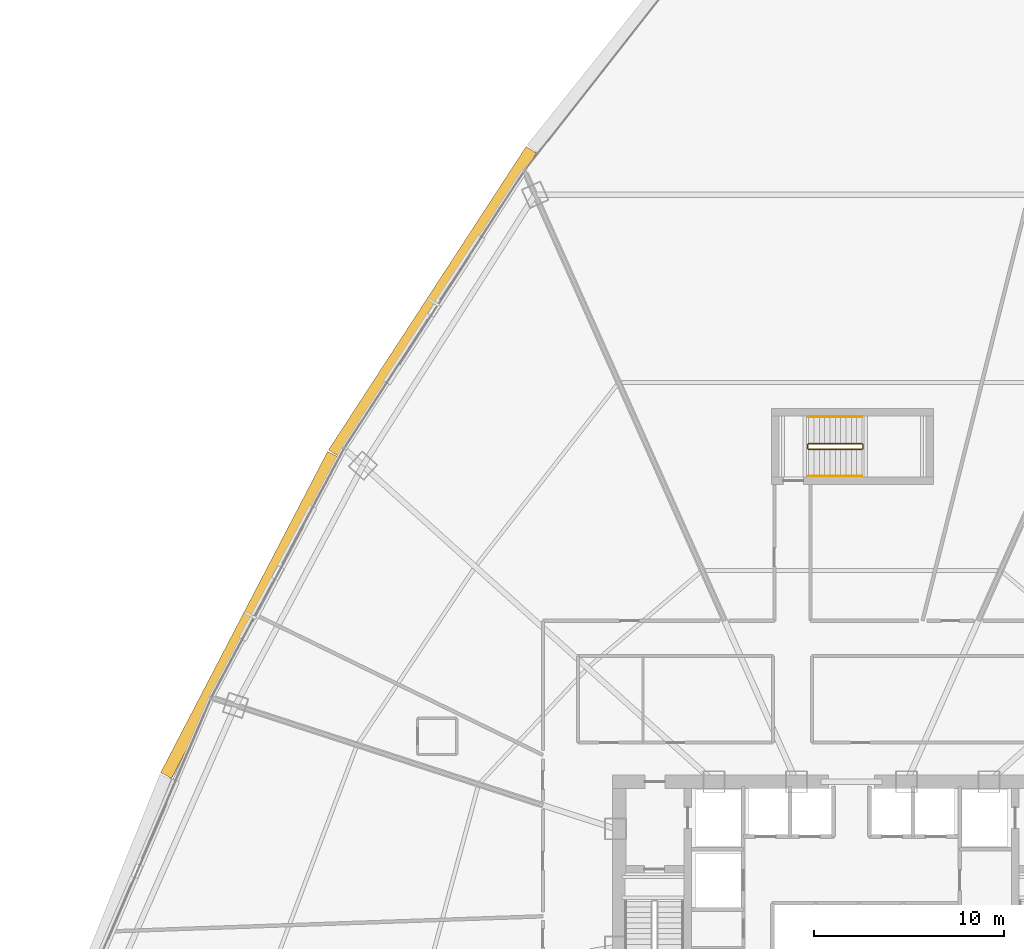
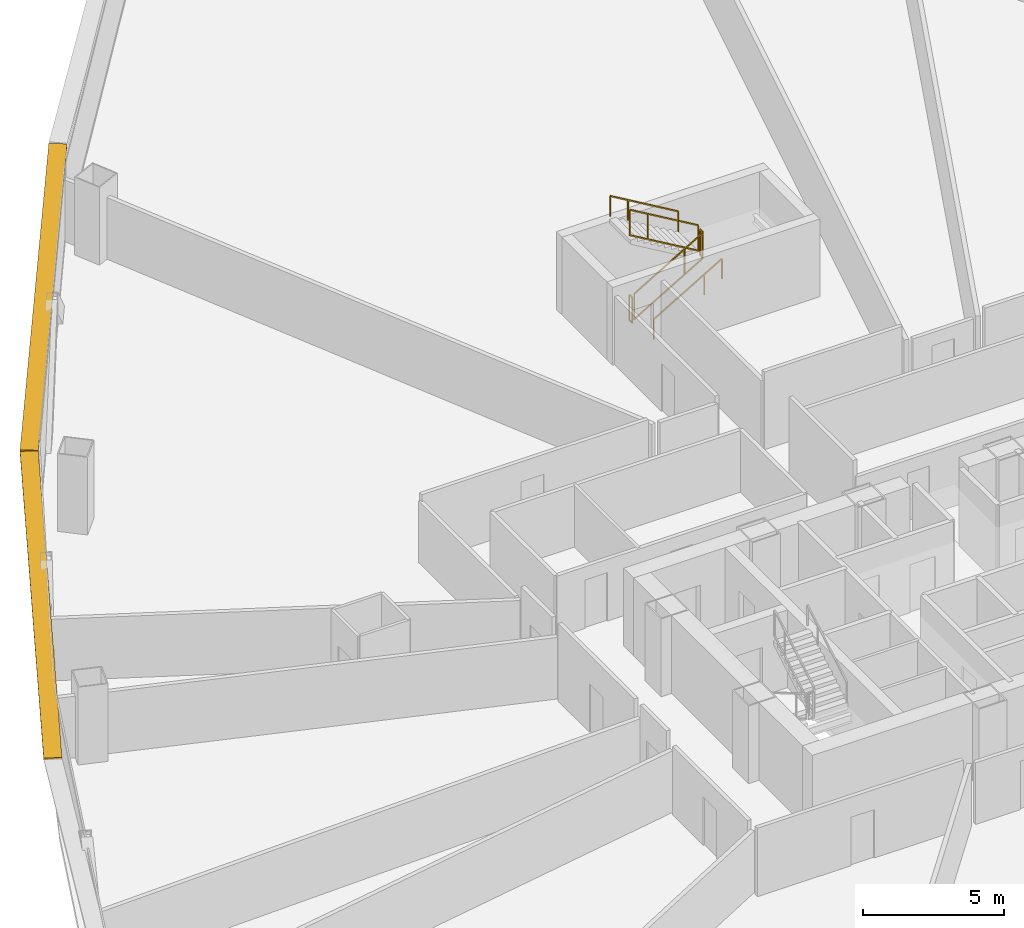
# One storey, part 36 of 37: 6 railings, 2 shading devices.
"""IFC4 building model written with IfcOpenShell, lengths in metres."""

from ifc_helpers import new_model, si_unit, direction, frame, origin, origin_2d, place, context, subcontext, project, spatial, rectangle, extrude, source, transform, mapped, material, layer, layer_set, type_object, element, save


model = new_model("IFC4")

# Units and contexts
model_context = context("Model", 3, precision=1e-05, world=origin(), true_north=direction((0.0, 1.0)))
body_context = subcontext(model_context, "Body", "Model", "MODEL_VIEW")
ifc_project = project(units=[si_unit("LENGTHUNIT", "METRE"), si_unit("AREAUNIT", "SQUARE_METRE"), si_unit("VOLUMEUNIT", "CUBIC_METRE"), si_unit("PLANEANGLEUNIT", "RADIAN"), si_unit("MASSUNIT", "GRAM", prefix="KILO"), si_unit("THERMODYNAMICTEMPERATUREUNIT", "KELVIN"), si_unit("POWERUNIT", "WATT")], contexts=[model_context])

# Site, building, storey
site_placement = place(None, origin())
site = spatial("IfcSite", under=ifc_project, at=site_placement, CompositionType="ELEMENT")
building_placement = place(site_placement, origin())
building = spatial("IfcBuilding", under=site, at=building_placement, Name="Yunzhuo Pagoda Commons", CompositionType="ELEMENT")
storey_placement = place(building_placement, frame((0.0, 0.0, 52.179931640625)))
storey = spatial("IfcBuildingStorey", under=building, at=storey_placement, Name="L13", CompositionType="ELEMENT", Elevation=52.179931640625)

# Railings
ifc_material = material(Name="Anodized aluminium 6063-T6", Category="aluminium")
railing_type_1 = type_object("IfcRailingType", Name="GR-ST3 North Well Guardrail 1155", PredefinedType="GUARDRAIL", material=ifc_material)
railing_1_placement = place(storey_placement, frame((45.75, 57.64990234375, 0.1650390625)))
element("IfcRailing", 1, at=railing_1_placement, inside=storey, type_object=railing_type_1, Name="L13 ST3 stair guard 1", PredefinedType="GUARDRAIL", context=body_context, shape_type="SweptSolid", body=[
    extrude(rectangle(XDim=0.048095703125, YDim=0.048095703125, at=origin_2d()), frame((0.0, 0.0, 1.1259765625), z_axis=(0.86152261977, 0.0, 0.507719189732), x_axis=(0.0, 1.0, 0.0)), (0.0, 0.0, 1.0), 3.25),
    extrude(rectangle(XDim=0.048095703125, YDim=0.048095703125, at=origin_2d()), frame((0.0, 0.0, 0.02392578125), z_axis=(0.86152261977, 0.0, 0.507719189732), x_axis=(0.0, 1.0, 0.0)), (0.0, 0.0, 1.0), 3.25),
    extrude(rectangle(XDim=0.0419921875, YDim=0.0419921875, at=origin_2d()), origin(), (0.0, 0.0, 1.0), 1.101806640625),
    extrude(rectangle(XDim=0.0419921875, YDim=0.0419921875, at=origin_2d()), frame((2.067626953125, 0.0, 1.218505859375)), (0.0, 0.0, 1.0), 1.101806640625),
    extrude(rectangle(XDim=0.0419921875, YDim=0.0419921875, at=origin_2d()), frame((2.800048828125, 0.0, 1.650146484375)), (0.0, 0.0, 1.0), 1.101806640625),
])
railing_2_placement = place(storey_placement, frame((48.60009765625, 57.699951171875, 1.815185546875)))
element("IfcRailing", 2, at=railing_2_placement, inside=storey, type_object=railing_type_1, Name="L13 ST3 stair guard 2", PredefinedType="GUARDRAIL", context=body_context, shape_type="SweptSolid", body=[
    extrude(rectangle(XDim=0.048095703125, YDim=0.048095703125, at=origin_2d()), frame((0.0, 0.0, 1.1259765625), z_axis=(0.0, 1.0, 0.0), x_axis=(-1.0, 0.0, 0.0)), (0.0, 0.0, 1.0), 0.199951171875),
    extrude(rectangle(XDim=0.048095703125, YDim=0.048095703125, at=origin_2d()), frame((0.0, 0.0, 0.02392578125), z_axis=(0.0, 1.0, 0.0), x_axis=(-1.0, 0.0, 0.0)), (0.0, 0.0, 1.0), 0.199951171875),
    extrude(rectangle(XDim=0.0419921875, YDim=0.0419921875, at=origin_2d()), origin(), (0.0, 0.0, 1.0), 1.101806640625),
    extrude(rectangle(XDim=0.0419921875, YDim=0.0419921875, at=origin_2d()), frame((0.0, 0.199951171875, 0.0)), (0.0, 0.0, 1.0), 1.101806640625),
])
railing_3_placement = place(storey_placement, frame((48.550048828125, 57.949951171875, 1.97998046875)))
element("IfcRailing", 3, at=railing_3_placement, inside=storey, type_object=railing_type_1, Name="L13 ST3 stair guard 3", PredefinedType="GUARDRAIL", context=body_context, shape_type="SweptSolid", body=[
    extrude(rectangle(XDim=0.048095703125, YDim=0.048095703125, at=origin_2d()), frame((0.0, 0.0, 1.1259765625), z_axis=(-0.86152261977, 0.0, 0.507719189732), x_axis=(0.0, -1.0, 0.0)), (0.0, 0.0, 1.0), 3.25),
    extrude(rectangle(XDim=0.048095703125, YDim=0.048095703125, at=origin_2d()), frame((0.0, 0.0, 0.02392578125), z_axis=(-0.86152261977, 0.0, 0.507719189732), x_axis=(0.0, -1.0, 0.0)), (0.0, 0.0, 1.0), 3.25),
    extrude(rectangle(XDim=0.0419921875, YDim=0.0419921875, at=origin_2d()), origin(), (0.0, 0.0, 1.0), 1.101806640625),
    extrude(rectangle(XDim=0.0419921875, YDim=0.0419921875, at=origin_2d()), frame((-2.067626953125, 0.0, 1.218505859375)), (0.0, 0.0, 1.0), 1.101806640625),
    extrude(rectangle(XDim=0.0419921875, YDim=0.0419921875, at=origin_2d()), frame((-2.800048828125, 0.0, 1.650146484375)), (0.0, 0.0, 1.0), 1.101806640625),
])
railing_4_placement = place(storey_placement, frame((45.699951171875, 57.699951171875, 0.0)))
element("IfcRailing", 4, at=railing_4_placement, inside=storey, type_object=railing_type_1, Name="L13 ST3 stair guard 4", PredefinedType="GUARDRAIL", context=body_context, shape_type="SweptSolid", body=[
    extrude(rectangle(XDim=0.048095703125, YDim=0.048095703125, at=origin_2d()), frame((0.0, 0.0, 1.1259765625), z_axis=(0.0, 1.0, 0.0), x_axis=(-1.0, 0.0, 0.0)), (0.0, 0.0, 1.0), 0.199951171875),
    extrude(rectangle(XDim=0.048095703125, YDim=0.048095703125, at=origin_2d()), frame((0.0, 0.0, 0.02392578125), z_axis=(0.0, 1.0, 0.0), x_axis=(-1.0, 0.0, 0.0)), (0.0, 0.0, 1.0), 0.199951171875),
    extrude(rectangle(XDim=0.0419921875, YDim=0.0419921875, at=origin_2d()), origin(), (0.0, 0.0, 1.0), 1.101806640625),
    extrude(rectangle(XDim=0.0419921875, YDim=0.0419921875, at=origin_2d()), frame((0.0, 0.199951171875, 0.0)), (0.0, 0.0, 1.0), 1.101806640625),
])
railing_type_2 = type_object("IfcRailingType", Name="HR-ST3 North Stair Handrail 900", PredefinedType="HANDRAIL", material=ifc_material)
railing_5_placement = place(storey_placement, frame((45.75, 56.25, 0.1650390625)))
element("IfcRailing", 5, at=railing_5_placement, inside=storey, type_object=railing_type_2, Name="L13 ST3 stair handrail 1", PredefinedType="HANDRAIL", context=body_context, shape_type="SweptSolid", body=[
    extrude(rectangle(XDim=0.048095703125, YDim=0.048095703125, at=origin_2d()), frame((0.0, 0.0, 0.8759765625), z_axis=(0.86152261977, 0.0, 0.507719189732), x_axis=(0.0, 1.0, 0.0)), (0.0, 0.0, 1.0), 3.25),
    extrude(rectangle(XDim=0.0419921875, YDim=0.0419921875, at=origin_2d()), origin(), (0.0, 0.0, 1.0), 0.851806640625),
    extrude(rectangle(XDim=0.0419921875, YDim=0.0419921875, at=origin_2d()), frame((2.067626953125, 0.0, 1.218505859375)), (0.0, 0.0, 1.0), 0.851806640625),
    extrude(rectangle(XDim=0.0419921875, YDim=0.0419921875, at=origin_2d()), frame((2.800048828125, 0.0, 1.650146484375)), (0.0, 0.0, 1.0), 0.851806640625),
])
railing_6_placement = place(storey_placement, frame((48.550048828125, 59.35009765625, 1.97998046875)))
element("IfcRailing", 6, at=railing_6_placement, inside=storey, type_object=railing_type_2, Name="L13 ST3 stair handrail 2", PredefinedType="HANDRAIL", context=body_context, shape_type="SweptSolid", body=[
    extrude(rectangle(XDim=0.048095703125, YDim=0.048095703125, at=origin_2d()), frame((0.0, 0.0, 0.8759765625), z_axis=(-0.86152261977, 0.0, 0.507719189732), x_axis=(0.0, -1.0, 0.0)), (0.0, 0.0, 1.0), 3.25),
    extrude(rectangle(XDim=0.0419921875, YDim=0.0419921875, at=origin_2d()), origin(), (0.0, 0.0, 1.0), 0.851806640625),
    extrude(rectangle(XDim=0.0419921875, YDim=0.0419921875, at=origin_2d()), frame((-2.067626953125, 0.0, 1.218505859375)), (0.0, 0.0, 1.0), 0.851806640625),
    extrude(rectangle(XDim=0.0419921875, YDim=0.0419921875, at=origin_2d()), frame((-2.800048828125, 0.0, 1.650146484375)), (0.0, 0.0, 1.0), 0.851806640625),
])

# Shading devices
ifc_layer = layer(ifc_material, 0.080078125)
ifc_layer_set = layer_set([ifc_layer], Name="Anodized aluminium 6063-T6")
shading_device_type = type_object("IfcShadingDeviceType", Name="SH-SUN1 Pagoda Horizontal Sunshade Eave 650", PredefinedType="USERDEFINED", material=ifc_layer_set)
shared_shape = source(origin(), body_context, "Body", "SweptSolid", [
    extrude(rectangle(XDim=19.01123046875, YDim=0.64990234375, at=origin_2d()), origin(), (0.0, 0.0, 1.0), 0.080078125),
])
for number, where, z_axis, x_axis, name in (
    (7, (26.004638671875, 65.408447265625, 3.2900390625), (0.0, 0.0, 1.0), (-0.545838756973, -0.837890238269, 0.0), "L13 horizontal pagoda sunshade eave F3.2"),
    (8, (16.39990234375, 48.95458984375, 3.2900390625), (0.0, 0.0, 1.0), (-0.461206683033, -0.88729273384, 0.0), "L13 horizontal pagoda sunshade eave F3.3"),
):
    element("IfcShadingDevice", number, at=place(storey_placement, frame(where, z_axis=z_axis, x_axis=x_axis)), inside=storey, type_object=shading_device_type, Name=name, ObjectType="SUNSHADE", PredefinedType="USERDEFINED", context=body_context, shape_type="MappedRepresentation", body=[
        mapped(shared_shape, transform((0.0, 0.0, 0.0), scale=1.0)),
    ])

save(model, "model.ifc")
